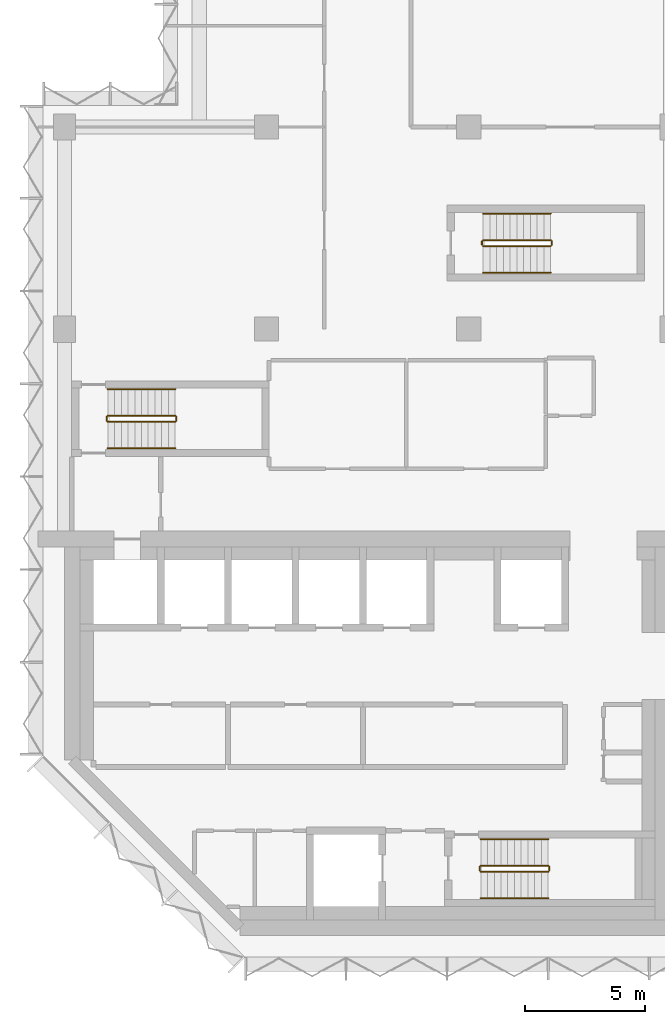
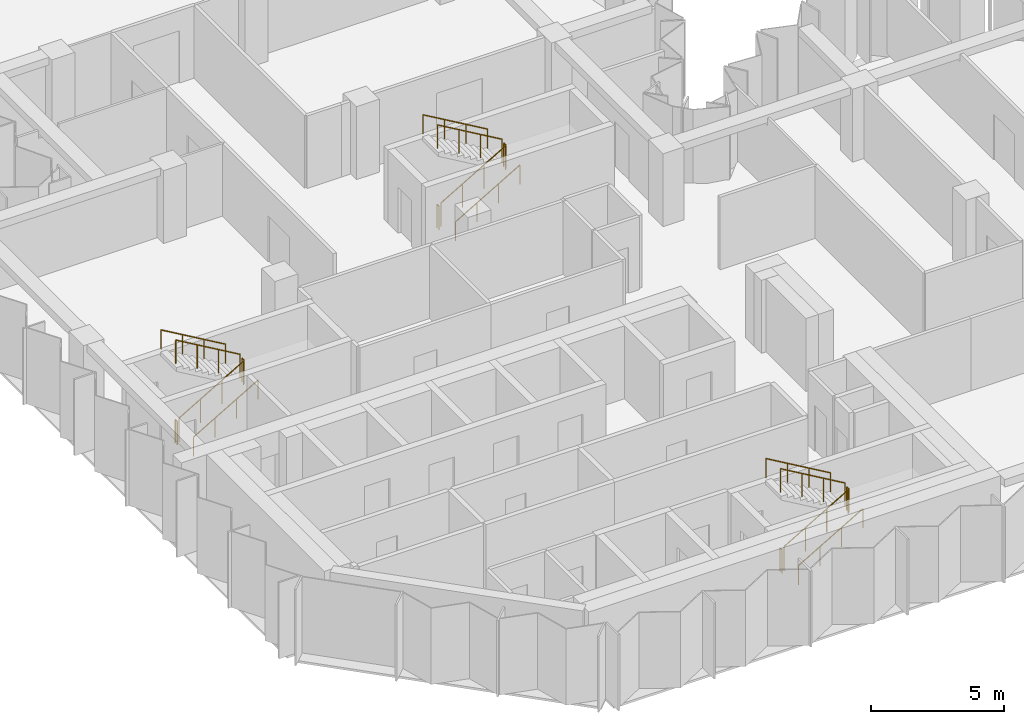
# One storey, part 9 of 10: 18 railings.
"""IFC4 building model written with IfcOpenShell, lengths in metres."""

from ifc_helpers import new_model, si_unit, direction, frame, origin, origin_2d, place, context, subcontext, project, spatial, circle, extrude, material, type_object, element, save


model = new_model("IFC4")

# Units and contexts
model_context = context("Model", 3, precision=1e-05, world=origin(), true_north=direction((0.0, 1.0)))
body_context = subcontext(model_context, "Body", "Model", "MODEL_VIEW")
ifc_project = project(units=[si_unit("LENGTHUNIT", "METRE"), si_unit("AREAUNIT", "SQUARE_METRE"), si_unit("VOLUMEUNIT", "CUBIC_METRE"), si_unit("PLANEANGLEUNIT", "RADIAN"), si_unit("MASSUNIT", "GRAM", prefix="KILO")], contexts=[model_context])

# Site, building, storey
site_placement = place(None, origin())
site = spatial("IfcSite", under=ifc_project, at=site_placement, CompositionType="ELEMENT")
building_placement = place(site_placement, origin())
building = spatial("IfcBuilding", under=site, at=building_placement, Name="Brevane Broadcast Tower", CompositionType="ELEMENT")
storey_placement = place(building_placement, frame((0.0, 0.0, 177.60009765625)))
storey = spatial("IfcBuildingStorey", under=building, at=storey_placement, Name="L44", CompositionType="ELEMENT", Elevation=177.60009765625)

# Railings
ifc_material = material(Name="Steel S355", Category="steel")
railing_type_1 = type_object("IfcRailingType", Name="Exit stair guard", PredefinedType="GUARDRAIL", material=ifc_material)
railing_1_placement = place(storey_placement, frame((1.800048828125, 21.35009765625, 0.16357421875)))
element("IfcRailing", 1, at=railing_1_placement, inside=storey, type_object=railing_type_1, Name="L44 ST-1 stair guard 1", PredefinedType="GUARDRAIL", context=body_context, shape_type="SweptSolid", body=[
    extrude(circle(Radius=0.02392578125, at=origin_2d()), frame((0.0, 0.0, 1.076171875), z_axis=(0.863393664356, 0.0, 0.504530851732), x_axis=(0.0, 1.0, 0.0)), (0.0, 0.0, 1.0), 3.2431640625),
    extrude(circle(Radius=0.02099609375, at=origin_2d()), origin(), (0.0, 0.0, 1.0), 1.052001953125),
    extrude(circle(Radius=0.02099609375, at=origin_2d()), frame((0.933349609375, 0.0, 0.54541015625)), (0.0, 0.0, 1.0), 1.052001953125),
    extrude(circle(Radius=0.02099609375, at=origin_2d()), frame((1.86669921875, 0.0, 1.0908203125)), (0.0, 0.0, 1.0), 1.052001953125),
    extrude(circle(Radius=0.02099609375, at=origin_2d()), frame((2.800048828125, 0.0, 1.63623046875)), (0.0, 0.0, 1.0), 1.052001953125),
])
railing_2_placement = place(storey_placement, frame((4.64990234375, 21.39990234375, 1.7998046875)))
element("IfcRailing", 2, at=railing_2_placement, inside=storey, type_object=railing_type_1, Name="L44 ST-1 stair guard 2", PredefinedType="GUARDRAIL", context=body_context, shape_type="SweptSolid", body=[
    extrude(circle(Radius=0.02392578125, at=origin_2d()), frame((0.0, 0.0, 1.076171875), z_axis=(0.0, 1.0, 0.0), x_axis=(-1.0, 0.0, 0.0)), (0.0, 0.0, 1.0), 0.150146484375),
    extrude(circle(Radius=0.02099609375, at=origin_2d()), origin(), (0.0, 0.0, 1.0), 1.052001953125),
    extrude(circle(Radius=0.02099609375, at=origin_2d()), frame((0.0, 0.150146484375, 0.0)), (0.0, 0.0, 1.0), 1.052001953125),
])
railing_3_placement = place(storey_placement, frame((4.60009765625, 21.60009765625, 1.963623046875)))
element("IfcRailing", 3, at=railing_3_placement, inside=storey, type_object=railing_type_1, Name="L44 ST-1 stair guard 3", PredefinedType="GUARDRAIL", context=body_context, shape_type="SweptSolid", body=[
    extrude(circle(Radius=0.02392578125, at=origin_2d()), frame((0.0, 0.0, 1.076171875), z_axis=(-0.863393664356, 0.0, 0.504530851732), x_axis=(0.0, -1.0, 0.0)), (0.0, 0.0, 1.0), 3.2431640625),
    extrude(circle(Radius=0.02099609375, at=origin_2d()), origin(), (0.0, 0.0, 1.0), 1.052001953125),
    extrude(circle(Radius=0.02099609375, at=origin_2d()), frame((-0.933349609375, 0.0, 0.54541015625)), (0.0, 0.0, 1.0), 1.052001953125),
    extrude(circle(Radius=0.02099609375, at=origin_2d()), frame((-1.86669921875, 0.0, 1.0908203125)), (0.0, 0.0, 1.0), 1.052001953125),
    extrude(circle(Radius=0.02099609375, at=origin_2d()), frame((-2.800048828125, 0.0, 1.63623046875)), (0.0, 0.0, 1.0), 1.052001953125),
])
railing_4_placement = place(storey_placement, frame((1.75, 21.39990234375, 0.0)))
element("IfcRailing", 4, at=railing_4_placement, inside=storey, type_object=railing_type_1, Name="L44 ST-1 stair guard 4", PredefinedType="GUARDRAIL", context=body_context, shape_type="SweptSolid", body=[
    extrude(circle(Radius=0.02392578125, at=origin_2d()), frame((0.0, 0.0, 1.076171875), z_axis=(0.0, 1.0, 0.0), x_axis=(-1.0, 0.0, 0.0)), (0.0, 0.0, 1.0), 0.150146484375),
    extrude(circle(Radius=0.02099609375, at=origin_2d()), origin(), (0.0, 0.0, 1.0), 1.052001953125),
    extrude(circle(Radius=0.02099609375, at=origin_2d()), frame((0.0, 0.150146484375, 0.0)), (0.0, 0.0, 1.0), 1.052001953125),
])
railing_5_placement = place(storey_placement, frame((17.300048828125, 2.64990234375, 0.16357421875)))
element("IfcRailing", 5, at=railing_5_placement, inside=storey, type_object=railing_type_1, Name="L44 ST-2 stair guard 1", PredefinedType="GUARDRAIL", context=body_context, shape_type="SweptSolid", body=[
    extrude(circle(Radius=0.02392578125, at=origin_2d()), frame((0.0, 0.0, 1.076171875), z_axis=(0.863393664356, 0.0, 0.504530851732), x_axis=(0.0, 1.0, 0.0)), (0.0, 0.0, 1.0), 3.2431640625),
    extrude(circle(Radius=0.02099609375, at=origin_2d()), origin(), (0.0, 0.0, 1.0), 1.052001953125),
    extrude(circle(Radius=0.02099609375, at=origin_2d()), frame((0.933349609375, 0.0, 0.54541015625)), (0.0, 0.0, 1.0), 1.052001953125),
    extrude(circle(Radius=0.02099609375, at=origin_2d()), frame((1.86669921875, 0.0, 1.0908203125)), (0.0, 0.0, 1.0), 1.052001953125),
    extrude(circle(Radius=0.02099609375, at=origin_2d()), frame((2.800048828125, 0.0, 1.63623046875)), (0.0, 0.0, 1.0), 1.052001953125),
])
railing_6_placement = place(storey_placement, frame((20.14990234375, 2.699951171875, 1.7998046875)))
element("IfcRailing", 6, at=railing_6_placement, inside=storey, type_object=railing_type_1, Name="L44 ST-2 stair guard 2", PredefinedType="GUARDRAIL", context=body_context, shape_type="SweptSolid", body=[
    extrude(circle(Radius=0.02392578125, at=origin_2d()), frame((0.0, 0.0, 1.076171875), z_axis=(0.0, 1.0, 0.0), x_axis=(-1.0, 0.0, 0.0)), (0.0, 0.0, 1.0), 0.150146484375),
    extrude(circle(Radius=0.02099609375, at=origin_2d()), origin(), (0.0, 0.0, 1.0), 1.052001953125),
    extrude(circle(Radius=0.02099609375, at=origin_2d()), frame((0.0, 0.150146484375, 0.0)), (0.0, 0.0, 1.0), 1.052001953125),
])
railing_7_placement = place(storey_placement, frame((20.10009765625, 2.89990234375, 1.963623046875)))
element("IfcRailing", 7, at=railing_7_placement, inside=storey, type_object=railing_type_1, Name="L44 ST-2 stair guard 3", PredefinedType="GUARDRAIL", context=body_context, shape_type="SweptSolid", body=[
    extrude(circle(Radius=0.02392578125, at=origin_2d()), frame((0.0, 0.0, 1.076171875), z_axis=(-0.863393664356, 0.0, 0.504530851732), x_axis=(0.0, -1.0, 0.0)), (0.0, 0.0, 1.0), 3.2431640625),
    extrude(circle(Radius=0.02099609375, at=origin_2d()), origin(), (0.0, 0.0, 1.0), 1.052001953125),
    extrude(circle(Radius=0.02099609375, at=origin_2d()), frame((-0.933349609375, 0.0, 0.54541015625)), (0.0, 0.0, 1.0), 1.052001953125),
    extrude(circle(Radius=0.02099609375, at=origin_2d()), frame((-1.86669921875, 0.0, 1.0908203125)), (0.0, 0.0, 1.0), 1.052001953125),
    extrude(circle(Radius=0.02099609375, at=origin_2d()), frame((-2.800048828125, 0.0, 1.63623046875)), (0.0, 0.0, 1.0), 1.052001953125),
])
railing_8_placement = place(storey_placement, frame((17.25, 2.699951171875, 0.0)))
element("IfcRailing", 8, at=railing_8_placement, inside=storey, type_object=railing_type_1, Name="L44 ST-2 stair guard 4", PredefinedType="GUARDRAIL", context=body_context, shape_type="SweptSolid", body=[
    extrude(circle(Radius=0.02392578125, at=origin_2d()), frame((0.0, 0.0, 1.076171875), z_axis=(0.0, 1.0, 0.0), x_axis=(-1.0, 0.0, 0.0)), (0.0, 0.0, 1.0), 0.150146484375),
    extrude(circle(Radius=0.02099609375, at=origin_2d()), origin(), (0.0, 0.0, 1.0), 1.052001953125),
    extrude(circle(Radius=0.02099609375, at=origin_2d()), frame((0.0, 0.150146484375, 0.0)), (0.0, 0.0, 1.0), 1.052001953125),
])
railing_9_placement = place(storey_placement, frame((17.39990234375, 28.64990234375, 0.16357421875)))
element("IfcRailing", 9, at=railing_9_placement, inside=storey, type_object=railing_type_1, Name="L44 ST-3 stair guard 1", PredefinedType="GUARDRAIL", context=body_context, shape_type="SweptSolid", body=[
    extrude(circle(Radius=0.02392578125, at=origin_2d()), frame((0.0, 0.0, 1.076171875), z_axis=(0.863393664356, 0.0, 0.504530851732), x_axis=(0.0, 1.0, 0.0)), (0.0, 0.0, 1.0), 3.2431640625),
    extrude(circle(Radius=0.02099609375, at=origin_2d()), origin(), (0.0, 0.0, 1.0), 1.052001953125),
    extrude(circle(Radius=0.02099609375, at=origin_2d()), frame((0.933349609375, 0.0, 0.54541015625)), (0.0, 0.0, 1.0), 1.052001953125),
    extrude(circle(Radius=0.02099609375, at=origin_2d()), frame((1.86669921875, 0.0, 1.0908203125)), (0.0, 0.0, 1.0), 1.052001953125),
    extrude(circle(Radius=0.02099609375, at=origin_2d()), frame((2.800048828125, 0.0, 1.63623046875)), (0.0, 0.0, 1.0), 1.052001953125),
])
railing_10_placement = place(storey_placement, frame((20.25, 28.699951171875, 1.7998046875)))
element("IfcRailing", 10, at=railing_10_placement, inside=storey, type_object=railing_type_1, Name="L44 ST-3 stair guard 2", PredefinedType="GUARDRAIL", context=body_context, shape_type="SweptSolid", body=[
    extrude(circle(Radius=0.02392578125, at=origin_2d()), frame((0.0, 0.0, 1.076171875), z_axis=(0.0, 1.0, 0.0), x_axis=(-1.0, 0.0, 0.0)), (0.0, 0.0, 1.0), 0.150146484375),
    extrude(circle(Radius=0.02099609375, at=origin_2d()), origin(), (0.0, 0.0, 1.0), 1.052001953125),
    extrude(circle(Radius=0.02099609375, at=origin_2d()), frame((0.0, 0.150146484375, 0.0)), (0.0, 0.0, 1.0), 1.052001953125),
])
railing_11_placement = place(storey_placement, frame((20.199951171875, 28.89990234375, 1.963623046875)))
element("IfcRailing", 11, at=railing_11_placement, inside=storey, type_object=railing_type_1, Name="L44 ST-3 stair guard 3", PredefinedType="GUARDRAIL", context=body_context, shape_type="SweptSolid", body=[
    extrude(circle(Radius=0.02392578125, at=origin_2d()), frame((0.0, 0.0, 1.076171875), z_axis=(-0.863393664356, 0.0, 0.504530851732), x_axis=(0.0, -1.0, 0.0)), (0.0, 0.0, 1.0), 3.2431640625),
    extrude(circle(Radius=0.02099609375, at=origin_2d()), origin(), (0.0, 0.0, 1.0), 1.052001953125),
    extrude(circle(Radius=0.02099609375, at=origin_2d()), frame((-0.933349609375, 0.0, 0.54541015625)), (0.0, 0.0, 1.0), 1.052001953125),
    extrude(circle(Radius=0.02099609375, at=origin_2d()), frame((-1.86669921875, 0.0, 1.0908203125)), (0.0, 0.0, 1.0), 1.052001953125),
    extrude(circle(Radius=0.02099609375, at=origin_2d()), frame((-2.800048828125, 0.0, 1.63623046875)), (0.0, 0.0, 1.0), 1.052001953125),
])
railing_12_placement = place(storey_placement, frame((17.35009765625, 28.699951171875, 0.0)))
element("IfcRailing", 12, at=railing_12_placement, inside=storey, type_object=railing_type_1, Name="L44 ST-3 stair guard 4", PredefinedType="GUARDRAIL", context=body_context, shape_type="SweptSolid", body=[
    extrude(circle(Radius=0.02392578125, at=origin_2d()), frame((0.0, 0.0, 1.076171875), z_axis=(0.0, 1.0, 0.0), x_axis=(-1.0, 0.0, 0.0)), (0.0, 0.0, 1.0), 0.150146484375),
    extrude(circle(Radius=0.02099609375, at=origin_2d()), origin(), (0.0, 0.0, 1.0), 1.052001953125),
    extrude(circle(Radius=0.02099609375, at=origin_2d()), frame((0.0, 0.150146484375, 0.0)), (0.0, 0.0, 1.0), 1.052001953125),
])
railing_type_2 = type_object("IfcRailingType", Name="Exit stair handrail", PredefinedType="HANDRAIL", material=ifc_material)
railing_13_placement = place(storey_placement, frame((1.800048828125, 20.25, 0.16357421875)))
element("IfcRailing", 13, at=railing_13_placement, inside=storey, type_object=railing_type_2, Name="L44 ST-1 stair handrail 1", PredefinedType="HANDRAIL", context=body_context, shape_type="SweptSolid", body=[
    extrude(circle(Radius=0.02392578125, at=origin_2d()), frame((0.0, 0.0, 0.8759765625), z_axis=(0.863393664356, 0.0, 0.504530851732), x_axis=(0.0, 1.0, 0.0)), (0.0, 0.0, 1.0), 3.2431640625),
    extrude(circle(Radius=0.02099609375, at=origin_2d()), origin(), (0.0, 0.0, 1.0), 0.851806640625),
    extrude(circle(Radius=0.02099609375, at=origin_2d()), frame((0.933349609375, 0.0, 0.54541015625)), (0.0, 0.0, 1.0), 0.851806640625),
    extrude(circle(Radius=0.02099609375, at=origin_2d()), frame((1.86669921875, 0.0, 1.0908203125)), (0.0, 0.0, 1.0), 0.851806640625),
    extrude(circle(Radius=0.02099609375, at=origin_2d()), frame((2.800048828125, 0.0, 1.63623046875)), (0.0, 0.0, 1.0), 0.851806640625),
])
railing_14_placement = place(storey_placement, frame((4.60009765625, 22.699951171875, 1.963623046875)))
element("IfcRailing", 14, at=railing_14_placement, inside=storey, type_object=railing_type_2, Name="L44 ST-1 stair handrail 2", PredefinedType="HANDRAIL", context=body_context, shape_type="SweptSolid", body=[
    extrude(circle(Radius=0.02392578125, at=origin_2d()), frame((0.0, 0.0, 0.8759765625), z_axis=(-0.863393664356, 0.0, 0.504530851732), x_axis=(0.0, -1.0, 0.0)), (0.0, 0.0, 1.0), 3.2431640625),
    extrude(circle(Radius=0.02099609375, at=origin_2d()), origin(), (0.0, 0.0, 1.0), 0.851806640625),
    extrude(circle(Radius=0.02099609375, at=origin_2d()), frame((-0.933349609375, 0.0, 0.54541015625)), (0.0, 0.0, 1.0), 0.851806640625),
    extrude(circle(Radius=0.02099609375, at=origin_2d()), frame((-1.86669921875, 0.0, 1.0908203125)), (0.0, 0.0, 1.0), 0.851806640625),
    extrude(circle(Radius=0.02099609375, at=origin_2d()), frame((-2.800048828125, 0.0, 1.63623046875)), (0.0, 0.0, 1.0), 0.851806640625),
])
railing_15_placement = place(storey_placement, frame((17.300048828125, 1.550048828125, 0.16357421875)))
element("IfcRailing", 15, at=railing_15_placement, inside=storey, type_object=railing_type_2, Name="L44 ST-2 stair handrail 1", PredefinedType="HANDRAIL", context=body_context, shape_type="SweptSolid", body=[
    extrude(circle(Radius=0.02392578125, at=origin_2d()), frame((0.0, 0.0, 0.8759765625), z_axis=(0.863393664356, 0.0, 0.504530851732), x_axis=(0.0, 1.0, 0.0)), (0.0, 0.0, 1.0), 3.2431640625),
    extrude(circle(Radius=0.02099609375, at=origin_2d()), origin(), (0.0, 0.0, 1.0), 0.851806640625),
    extrude(circle(Radius=0.02099609375, at=origin_2d()), frame((0.933349609375, 0.0, 0.54541015625)), (0.0, 0.0, 1.0), 0.851806640625),
    extrude(circle(Radius=0.02099609375, at=origin_2d()), frame((1.86669921875, 0.0, 1.0908203125)), (0.0, 0.0, 1.0), 0.851806640625),
    extrude(circle(Radius=0.02099609375, at=origin_2d()), frame((2.800048828125, 0.0, 1.63623046875)), (0.0, 0.0, 1.0), 0.851806640625),
])
railing_16_placement = place(storey_placement, frame((20.10009765625, 4.0, 1.963623046875)))
element("IfcRailing", 16, at=railing_16_placement, inside=storey, type_object=railing_type_2, Name="L44 ST-2 stair handrail 2", PredefinedType="HANDRAIL", context=body_context, shape_type="SweptSolid", body=[
    extrude(circle(Radius=0.02392578125, at=origin_2d()), frame((0.0, 0.0, 0.8759765625), z_axis=(-0.863393664356, 0.0, 0.504530851732), x_axis=(0.0, -1.0, 0.0)), (0.0, 0.0, 1.0), 3.2431640625),
    extrude(circle(Radius=0.02099609375, at=origin_2d()), origin(), (0.0, 0.0, 1.0), 0.851806640625),
    extrude(circle(Radius=0.02099609375, at=origin_2d()), frame((-0.933349609375, 0.0, 0.54541015625)), (0.0, 0.0, 1.0), 0.851806640625),
    extrude(circle(Radius=0.02099609375, at=origin_2d()), frame((-1.86669921875, 0.0, 1.0908203125)), (0.0, 0.0, 1.0), 0.851806640625),
    extrude(circle(Radius=0.02099609375, at=origin_2d()), frame((-2.800048828125, 0.0, 1.63623046875)), (0.0, 0.0, 1.0), 0.851806640625),
])
railing_17_placement = place(storey_placement, frame((17.39990234375, 27.550048828125, 0.16357421875)))
element("IfcRailing", 17, at=railing_17_placement, inside=storey, type_object=railing_type_2, Name="L44 ST-3 stair handrail 1", PredefinedType="HANDRAIL", context=body_context, shape_type="SweptSolid", body=[
    extrude(circle(Radius=0.02392578125, at=origin_2d()), frame((0.0, 0.0, 0.8759765625), z_axis=(0.863393664356, 0.0, 0.504530851732), x_axis=(0.0, 1.0, 0.0)), (0.0, 0.0, 1.0), 3.2431640625),
    extrude(circle(Radius=0.02099609375, at=origin_2d()), origin(), (0.0, 0.0, 1.0), 0.851806640625),
    extrude(circle(Radius=0.02099609375, at=origin_2d()), frame((0.933349609375, 0.0, 0.54541015625)), (0.0, 0.0, 1.0), 0.851806640625),
    extrude(circle(Radius=0.02099609375, at=origin_2d()), frame((1.86669921875, 0.0, 1.0908203125)), (0.0, 0.0, 1.0), 0.851806640625),
    extrude(circle(Radius=0.02099609375, at=origin_2d()), frame((2.800048828125, 0.0, 1.63623046875)), (0.0, 0.0, 1.0), 0.851806640625),
])
railing_18_placement = place(storey_placement, frame((20.199951171875, 30.0, 1.963623046875)))
element("IfcRailing", 18, at=railing_18_placement, inside=storey, type_object=railing_type_2, Name="L44 ST-3 stair handrail 2", PredefinedType="HANDRAIL", context=body_context, shape_type="SweptSolid", body=[
    extrude(circle(Radius=0.02392578125, at=origin_2d()), frame((0.0, 0.0, 0.8759765625), z_axis=(-0.863393664356, 0.0, 0.504530851732), x_axis=(0.0, -1.0, 0.0)), (0.0, 0.0, 1.0), 3.2431640625),
    extrude(circle(Radius=0.02099609375, at=origin_2d()), origin(), (0.0, 0.0, 1.0), 0.851806640625),
    extrude(circle(Radius=0.02099609375, at=origin_2d()), frame((-0.933349609375, 0.0, 0.54541015625)), (0.0, 0.0, 1.0), 0.851806640625),
    extrude(circle(Radius=0.02099609375, at=origin_2d()), frame((-1.86669921875, 0.0, 1.0908203125)), (0.0, 0.0, 1.0), 0.851806640625),
    extrude(circle(Radius=0.02099609375, at=origin_2d()), frame((-2.800048828125, 0.0, 1.63623046875)), (0.0, 0.0, 1.0), 0.851806640625),
])

save(model, "model.ifc")
